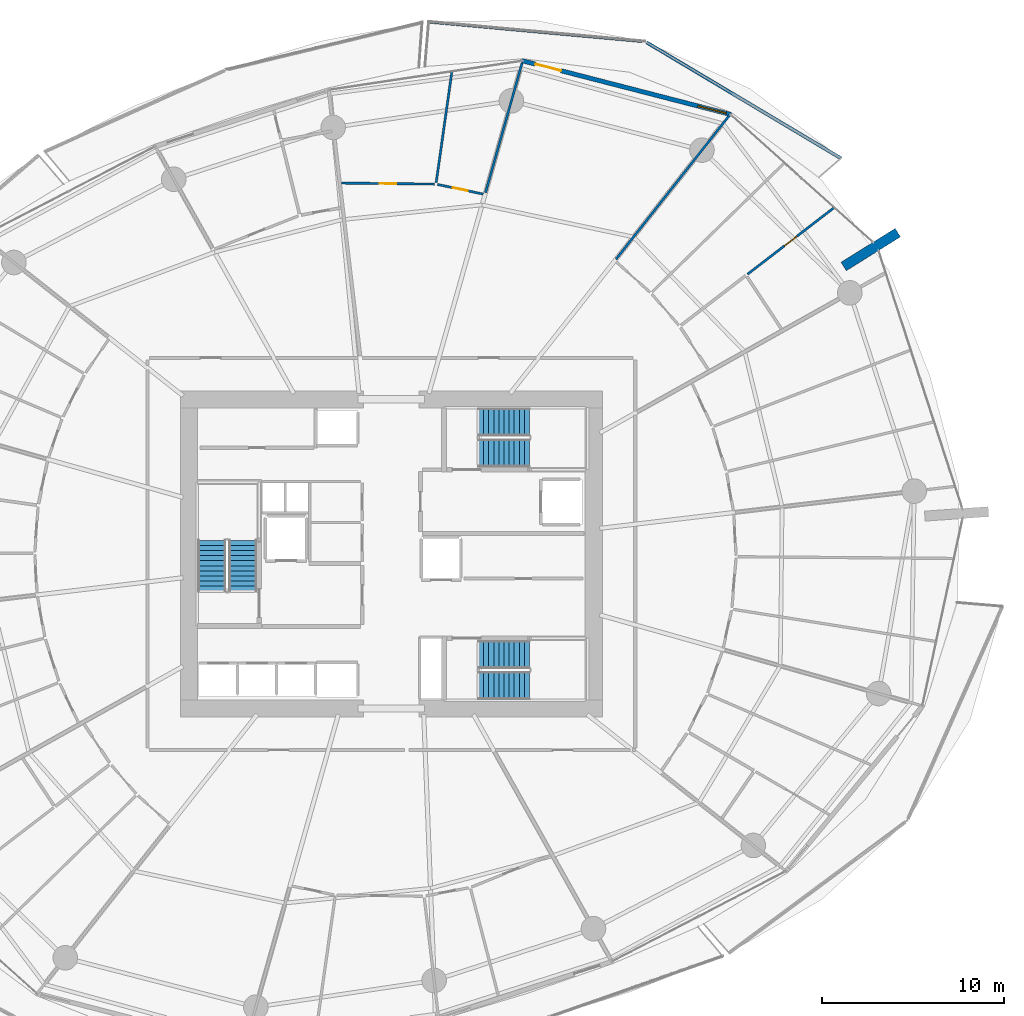
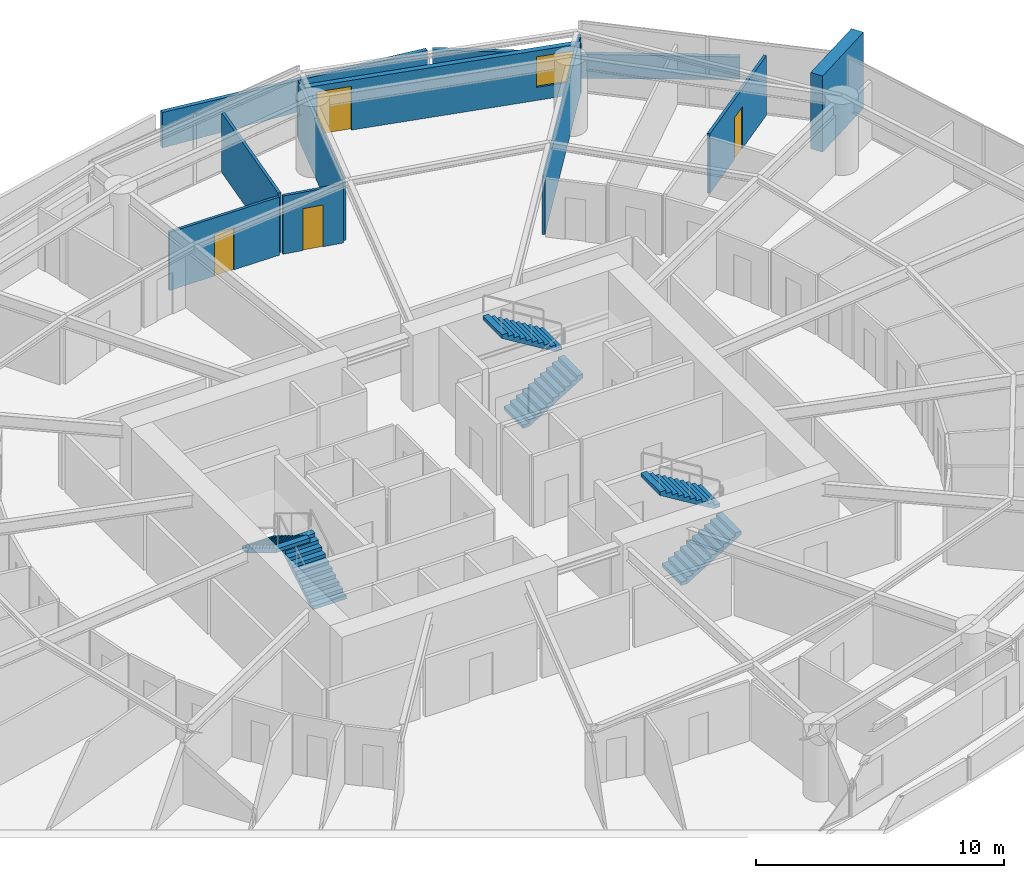
# One storey, part 24 of 31: 10 walls, 6 stair flights, 4 doors, 1 window, 5 openings, 3 elements without a shape of their own.
"""IFC4 building model written with IfcOpenShell, lengths in metres."""

import ifcopenshell
import ifcopenshell.guid

model = None  # the IFC model being written
_history = None  # IfcOwnerHistory: only IFC2X3 demands one
_inside = {}  # id of a spatial element -> (the spatial element, [elements in it])
_under = {}  # id of a project, library or spatial element -> (it, [spatial elements below it])
_declared = {}  # id of a project -> (the project, [libraries it declares])
_typed = {}  # id of a type object -> (the type object, [elements of that type])
_made_of = {}  # id of a material, layer set ... -> (it, [elements and type objects made of it])


def new_model(schema):
    """Start an empty IFC model of exactly this schema.

    Asked for "IFC4X3", IfcOpenShell would pick the latest addendum, in which some entities
    have other attributes; the version numbers below select the first issue.
    IFC2X3 requires an IfcOwnerHistory on every rooted entity: one is made here for all.
    """
    global model, _history
    if schema == "IFC4X3":
        model = ifcopenshell.file(schema_version=(4, 3, 0, 0))
    else:
        model = ifcopenshell.file(schema=schema)
    _inside.clear()
    _under.clear()
    _declared.clear()
    _typed.clear()
    _made_of.clear()
    _history = None
    if model.schema == "IFC2X3":
        org = make("IfcOrganization", Name="unknown")
        user = make(
            "IfcPersonAndOrganization",
            ThePerson=make("IfcPerson", FamilyName="unknown"),
            TheOrganization=org,
        )
        app = make(
            "IfcApplication",
            ApplicationDeveloper=org,
            Version="unknown",
            ApplicationFullName="unknown",
            ApplicationIdentifier="unknown",
        )
        _history = make(
            "IfcOwnerHistory",
            OwningUser=user,
            OwningApplication=app,
            ChangeAction="ADDED",
            CreationDate=0,
        )
    return model


def make(cls, **values):
    """One entity of the class cls with the attributes given. An attribute that is None is left unset."""
    return model.create_entity(
        cls, **{name: value for name, value in values.items() if value is not None}
    )


def rooted(cls, **values):
    """An entity with a GlobalId (a new one), such as an element, a storey or a relation."""
    return make(cls, GlobalId=ifcopenshell.guid.new(), OwnerHistory=_history, **values)


def si_unit(unit_type, name, prefix=None):
    """IfcSIUnit, for example si_unit("LENGTHUNIT", "METRE", prefix="MILLI")."""
    return make("IfcSIUnit", UnitType=unit_type, Prefix=prefix, Name=name)


def assignment(units):
    """IfcUnitAssignment: the units of a project."""
    return None if units is None else make("IfcUnitAssignment", Units=units)


def point(xyz):
    """IfcCartesianPoint."""
    return None if xyz is None else make("IfcCartesianPoint", Coordinates=xyz)


def direction(xyz):
    """IfcDirection."""
    return None if xyz is None else make("IfcDirection", DirectionRatios=xyz)


def frame(location, z_axis=None, x_axis=None):
    """IfcAxis2Placement3D, a coordinate frame: its origin and axes. An axis left out is left unset."""
    return make(
        "IfcAxis2Placement3D",
        Location=point(location),
        Axis=direction(z_axis),
        RefDirection=direction(x_axis),
    )


def frame_2d(location, x_axis=None):
    """IfcAxis2Placement2D, a coordinate frame in the plane: its origin and x axis."""
    return make(
        "IfcAxis2Placement2D", Location=point(location), RefDirection=direction(x_axis)
    )


def origin():
    """The frame at (0, 0, 0) with its axes left unset."""
    return frame((0.0, 0.0, 0.0))


def place(relative_to, where):
    """IfcLocalPlacement: puts the frame where relative to a parent placement (None: the world)."""
    return make(
        "IfcLocalPlacement", PlacementRelTo=relative_to, RelativePlacement=where
    )


def context(
    kind, dimensions, precision=None, world=None, true_north=None, identifier=None
):
    """IfcGeometricRepresentationContext, for example the 3D "Model" context."""
    return make(
        "IfcGeometricRepresentationContext",
        ContextIdentifier=identifier,
        ContextType=kind,
        CoordinateSpaceDimension=dimensions,
        Precision=precision,
        WorldCoordinateSystem=world,
        TrueNorth=true_north,
    )


def subcontext(parent, identifier, kind, view, scale=None):
    """IfcGeometricRepresentationSubContext, for example "Body" below "Model"."""
    return make(
        "IfcGeometricRepresentationSubContext",
        ContextIdentifier=identifier,
        ContextType=kind,
        ParentContext=parent,
        TargetScale=scale,
        TargetView=view,
    )


def project(units=None, contexts=None):
    """IfcProject with its units and contexts."""
    return rooted(
        "IfcProject",
        Name="project",
        RepresentationContexts=contexts,
        UnitsInContext=assignment(units),
    )


def spatial(cls, under=None, at=None, **own):
    """A site, building, storey or space (cls), placed at a placement, below another one or the project."""
    s = rooted(cls, ObjectPlacement=at, **own)
    if under is not None:
        _under.setdefault(under.id(), (under, []))[1].append(s)
    return s


def polyline(points):
    """IfcPolyline through the points."""
    return make("IfcPolyline", Points=[point(p) for p in points])


def profile(cls, at=None, kind="AREA", **sizes):
    """A parametric profile (cls). Its sizes go by their IFC names, for example OverallWidth=200.0."""
    return make(cls, ProfileType=kind, Position=at, **sizes)


def rectangle(**sizes):
    """IfcRectangleProfileDef."""
    return profile("IfcRectangleProfileDef", **sizes)


def outline(outer, holes=None, kind="AREA"):
    """IfcArbitraryClosedProfileDef: a profile drawn as a closed curve; with holes, ...WithVoids."""
    if holes is None:
        return make("IfcArbitraryClosedProfileDef", ProfileType=kind, OuterCurve=outer)
    return make(
        "IfcArbitraryProfileDefWithVoids",
        ProfileType=kind,
        OuterCurve=outer,
        InnerCurves=holes,
    )


def extrude(swept, where, along, depth):
    """IfcExtrudedAreaSolid: the profile swept, set in the frame where, extruded along a direction by depth."""
    return make(
        "IfcExtrudedAreaSolid",
        SweptArea=swept,
        Position=where,
        ExtrudedDirection=direction(along),
        Depth=depth,
    )


def shape(context_of_items, identifier, shape_type, items):
    """IfcShapeRepresentation: the items that make up one representation, for example the "Body"."""
    return make(
        "IfcShapeRepresentation",
        ContextOfItems=context_of_items,
        RepresentationIdentifier=identifier,
        RepresentationType=shape_type,
        Items=items,
    )


def material(Name=None, Category=None):
    """IfcMaterial."""
    return make("IfcMaterial", Name=Name, Category=Category)


def layer(
    of_material, thickness, ventilated=None, Name=None, Category=None, Priority=None
):
    """IfcMaterialLayer: one layer of a wall or slab, of a material (None: an air gap)."""
    return make(
        "IfcMaterialLayer",
        Material=of_material,
        LayerThickness=thickness,
        IsVentilated=ventilated,
        Name=Name,
        Category=Category,
        Priority=Priority,
    )


def layer_set(layers, Name=None):
    """IfcMaterialLayerSet."""
    return make("IfcMaterialLayerSet", MaterialLayers=layers, LayerSetName=Name)


def made_of(thing, what):
    """Note that an element or type object is made of a material, layer set ...; save() writes the relation."""
    if what is not None:
        _made_of.setdefault(what.id(), (what, []))[1].append(thing)
    return thing


def type_object(cls, material=None, **own):
    """A type object (cls), such as IfcWallType, which elements share."""
    return made_of(rooted(cls, **own), material)


def element(
    cls,
    number,
    at=None,
    inside=None,
    cuts=None,
    type_object=None,
    material=None,
    context=None,
    identifier="Body",
    shape_type=None,
    held_by="IfcProductDefinitionShape",
    body=None,
    shapes=None,
    **own,
):
    """One element of the class cls, such as IfcWall. Its Tag is "e" and its number.

    at: its placement. inside: the storey or other place that contains it. cuts: it is an
    opening in that element (IfcRelVoidsElement). A single representation is given by context,
    identifier, shape_type and body (its items); several are given by shapes. held_by: the class
    of the entity that holds the representations. save() writes the other relations.
    """
    e = rooted(cls, Tag="e%d" % number, ObjectPlacement=at, **own)
    if body is not None:
        shapes = [shape(context, identifier, shape_type, body)]
    if shapes is not None:
        e.Representation = make(held_by, Representations=shapes)
    if inside is not None:
        _inside.setdefault(inside.id(), (inside, []))[1].append(e)
    if cuts is not None:
        rooted(
            "IfcRelVoidsElement", RelatingBuildingElement=cuts, RelatedOpeningElement=e
        )
    if type_object is not None:
        _typed.setdefault(type_object.id(), (type_object, []))[1].append(e)
    return made_of(e, material)


def fill(opening, filler):
    """IfcRelFillsElement: the door or window that sits in an opening."""
    return rooted(
        "IfcRelFillsElement",
        RelatingOpeningElement=opening,
        RelatedBuildingElement=filler,
    )


def aggregate(whole, parts):
    """IfcRelAggregates: a whole, such as a stair, and the parts it consists of."""
    return rooted("IfcRelAggregates", RelatingObject=whole, RelatedObjects=parts)


def save(model, path):
    """Write the relations noted so far, then the file.

    IfcRelAggregates (storeys below a building ...), IfcRelContainedInSpatialStructure (elements
    in a storey), IfcRelDefinesByType, IfcRelAssociatesMaterial and IfcRelDeclares: one each for
    every whole, place, type object, material and project.
    """
    for whole, parts in _under.values():
        aggregate(whole, parts)
    for where, things in _inside.values():
        rooted(
            "IfcRelContainedInSpatialStructure",
            RelatedElements=things,
            RelatingStructure=where,
        )
    for kind, things in _typed.values():
        rooted("IfcRelDefinesByType", RelatedObjects=things, RelatingType=kind)
    for what, things in _made_of.values():
        rooted("IfcRelAssociatesMaterial", RelatedObjects=things, RelatingMaterial=what)
    for by, libraries in _declared.values():
        rooted("IfcRelDeclares", RelatingContext=by, RelatedDefinitions=libraries)
    model.write(path)


model = new_model("IFC4")

# Units and contexts
model_context = context("Model", 3, precision=1e-05, world=origin(), true_north=direction((0.0, 1.0)))
body_context = subcontext(model_context, "Body", "Model", "MODEL_VIEW")
ifc_project = project(units=[si_unit("LENGTHUNIT", "METRE"), si_unit("AREAUNIT", "SQUARE_METRE"), si_unit("VOLUMEUNIT", "CUBIC_METRE"), si_unit("PLANEANGLEUNIT", "RADIAN"), si_unit("MASSUNIT", "GRAM", prefix="KILO")], contexts=[model_context])

# Site, building, storey
site_placement = place(None, origin())
site = spatial("IfcSite", under=ifc_project, at=site_placement, CompositionType="ELEMENT")
building_placement = place(site_placement, origin())
building = spatial("IfcBuilding", under=site, at=building_placement, Name="Kazma Halo Residences", CompositionType="ELEMENT")
storey_placement = place(building_placement, frame((0.0, 0.0, 60.14990234375)))
storey = spatial("IfcBuildingStorey", under=building, at=storey_placement, Name="L14", CompositionType="ELEMENT", Elevation=60.14990234375)

# Walls
ifc_material_1 = material(Name="White Concrete C50/60 Balustrade", Category="concrete")
ifc_layer_1 = layer(ifc_material_1, 0.179931640625)
ifc_layer_set_1 = layer_set([ifc_layer_1], Name="White Concrete C50/60 Balustrade")
wall_type_1 = type_object("IfcWallType", Name="WL-BAL-WAVE-180", PredefinedType="PARAPET", material=ifc_layer_set_1)
wall_1_placement = place(storey_placement, frame((73.08740234375, 63.693115234375, 0.0), z_axis=(0.0, 0.0, 1.0), x_axis=(-0.858860948387, 0.512208816144, 0.0)))
element("IfcWall", 1, at=wall_1_placement, inside=storey, type_object=wall_type_1, Name="L14 white wave balustrade wall NE.1", PredefinedType="PARAPET", context=body_context, shape_type="SweptSolid", body=[
    extrude(outline(polyline([(0.0, 0.0), (12.412353515625, 0.0), (12.412109375, 1.34814453125), (6.2060546875, 1.18212890625), (0.0, 1.1201171875), (0.0, 0.0)])), frame((0.0, 0.08984375, 0.0), z_axis=(0.0, -1.0, 0.0), x_axis=(1.0, 0.0, 0.0)), (0.0, 0.0, 1.0), 0.179931640625),
])
wall_2_placement = place(storey_placement, frame((62.204345703125, 70.123046875, 0.0), z_axis=(0.0, 0.0, 1.0), x_axis=(-0.99586852892, 0.09080678998, 0.0)))
element("IfcWall", 2, at=wall_2_placement, inside=storey, type_object=wall_type_1, Name="L14 white wave balustrade wall NE.2", PredefinedType="PARAPET", context=body_context, shape_type="SweptSolid", body=[
    extrude(outline(polyline([(0.0, 0.0), (11.77587890625, 0.0), (11.77587890625, 1.7470703125), (5.887939453125, 1.56201171875), (0.0, 1.34814453125), (0.0, 0.0)])), frame((0.0, 0.08984375, 0.0), z_axis=(0.0, -1.0, 0.0), x_axis=(1.0, 0.0, 0.0)), (0.0, 0.0, 1.0), 0.179931640625),
])
ifc_material_2 = material(Name="Pale Concrete C60/75", Category="concrete")
ifc_layer_2 = layer(ifc_material_2, 0.550048828125)
ifc_layer_set_2 = layer_set([ifc_layer_2], Name="Pale Concrete C60/75")
wall_type_2 = type_object("IfcWallType", Name="WL-BLADE-550", PredefinedType="SOLIDWALL", material=ifc_layer_set_2)
wall_3_placement = place(storey_placement, frame((73.229736328125, 57.765380859375, 0.0), z_axis=(0.0, 0.0, 1.0), x_axis=(0.848053161125, 0.529911158502, 0.0)))
element("IfcWall", 3, at=wall_3_placement, inside=storey, type_object=wall_type_2, Name="L14 pale concrete structural blade fin wall BW-01", PredefinedType="SOLIDWALL", context=body_context, shape_type="SweptSolid", body=[
    extrude(rectangle(XDim=3.5, YDim=0.550048828125, at=frame_2d((1.75, 0.0))), origin(), (0.0, 0.0, 1.0), 3.75),
])

# Wall, openings, door, window
ifc_material_3 = material(Name="Insulated Pale-Metal Composite Wall")
ifc_layer_3 = layer(ifc_material_3, 0.239990234375)
ifc_layer_set_3 = layer_set([ifc_layer_3], Name="Insulated Pale-Metal Composite Wall")
wall_type_3 = type_object("IfcWallType", Name="WL-EXT-HOST-240", PredefinedType="SOLIDWALL", material=ifc_layer_set_3)
wall_4_placement = place(storey_placement, frame((67.05419921875, 66.09619140625, 0.0), z_axis=(0.0, 0.0, 1.0), x_axis=(-0.96833871487, 0.249640007378, 0.0)))
wall_4 = element("IfcWall", 4, at=wall_4_placement, inside=storey, type_object=wall_type_3, Name="L14 exterior terrace-access wall B02", PredefinedType="SOLIDWALL", context=body_context, shape_type="SweptSolid", body=[
    extrude(rectangle(XDim=11.85107421875, YDim=0.239990234375, at=frame_2d((5.925537109375, 0.0))), origin(), (0.0, 0.0, 1.0), 2.4501953125),
])
opening_1_placement = place(wall_4_placement, frame((9.631103515625, 0.0, 0.0)))
opening_1 = element("IfcOpeningElement", 5, at=opening_1_placement, cuts=wall_4, Name="Opening DTR-1600", PredefinedType="OPENING", context=body_context, shape_type="SweptSolid", body=[
    extrude(rectangle(XDim=1.449951171875, YDim=2.14990234375, at=frame_2d((0.72509765625, 1.074951171875))), frame((0.0, 0.1298828125, 0.0), z_axis=(0.0, -1.0, 0.0), x_axis=(1.0, 0.0, 0.0)), (0.0, 0.0, 1.0), 0.260009765625),
])
opening_2_placement = place(wall_4_placement, frame((0.280029296875, 0.0, 0.64990234375)))
opening_2 = element("IfcOpeningElement", 6, at=opening_2_placement, cuts=wall_4, Name="Opening W-1800", PredefinedType="OPENING", context=body_context, shape_type="SweptSolid", body=[
    extrude(rectangle(XDim=1.60009765625, YDim=1.5, at=frame_2d((0.800048828125, 0.75))), frame((0.0, 0.1298828125, 0.0), z_axis=(0.0, -1.0, 0.0), x_axis=(1.0, 0.0, 0.0)), (0.0, 0.0, 1.0), 0.260009765625),
])
ifc_material_4 = material(Name="Aluminium AW-6063 T6 Double-Glazed Terrace Door", Category="aluminium")
door_type_1 = type_object("IfcDoorType", Name="DR-EXT-TERR-1600", OperationType="NOTDEFINED", PredefinedType="DOOR", material=ifc_material_4)
door_1_placement = place(opening_1_placement, origin())
door_1 = element("IfcDoor", 7, at=door_1_placement, inside=storey, type_object=door_type_1, Name="L14 B02 balcony terrace door", OperationType="DOUBLE_DOOR_SLIDING", OverallHeight=2.14990234375, OverallWidth=1.449951171875, PredefinedType="DOOR", context=body_context, shape_type="SweptSolid", body=[
    extrude(rectangle(XDim=1.449951171875, YDim=2.14990234375, at=frame_2d((0.72509765625, 1.074951171875))), frame((0.0, 0.02490234375, 0.0), z_axis=(0.0, -1.0, 0.0), x_axis=(1.0, 0.0, 0.0)), (0.0, 0.0, 1.0), 0.050048828125),
])
fill(opening_1, door_1)
ifc_material_5 = material(Name="Clear Triple-Silver Low-E Glass in Aluminium AW-6063 T6 Frame", Category="aluminium")
window_type = type_object("IfcWindowType", Name="WIN-RES-1800", PartitioningType="DOUBLE_PANEL_VERTICAL", PredefinedType="WINDOW", material=ifc_material_5)
window_placement = place(opening_2_placement, origin())
window = element("IfcWindow", 8, at=window_placement, inside=storey, type_object=window_type, Name="L14 B02 apartment window", OverallHeight=1.5, OverallWidth=1.60009765625, PartitioningType="SINGLE_PANEL", PredefinedType="WINDOW", context=body_context, shape_type="SweptSolid", body=[
    extrude(rectangle(XDim=1.60009765625, YDim=1.5, at=frame_2d((0.800048828125, 0.75))), frame((0.0, 0.030029296875, 0.0), z_axis=(0.0, -1.0, 0.0), x_axis=(1.0, 0.0, 0.0)), (0.0, 0.0, 1.0), 0.06005859375),
])
fill(opening_2, window)

# Wall
ifc_material_6 = material(Name="Gypsum Plasterboard Partition")
ifc_layer_4 = layer(ifc_material_6, 0.125)
ifc_layer_set_4 = layer_set([ifc_layer_4], Name="Gypsum Plasterboard Partition")
wall_type_4 = type_object("IfcWallType", Name="WL-PART-125", PredefinedType="PARTITIONING", material=ifc_layer_set_4)
wall_5_placement = place(storey_placement, frame((60.742919921875, 58.1640625, 0.0), z_axis=(0.0, 0.0, 1.0), x_axis=(0.61907620874, 0.785330916093, 0.0)))
element("IfcWall", 9, at=wall_5_placement, inside=storey, type_object=wall_type_4, Name="L14 Apartment 4 living radial partition 0", PredefinedType="PARTITIONING", context=body_context, shape_type="SweptSolid", body=[
    extrude(rectangle(XDim=10.09130859375, YDim=0.125, at=frame_2d((5.045654296875, 0.0))), origin(), (0.0, 0.0, 1.0), 2.8671875),
])

# Wall, opening, door
wall_6_placement = place(storey_placement, frame((67.94921875, 57.336669921875, 0.0), z_axis=(0.0, 0.0, 1.0), x_axis=(0.792800135679, 0.609481701832, 0.0)))
wall_6 = element("IfcWall", 10, at=wall_6_placement, inside=storey, type_object=wall_type_4, Name="L14 Apartment 4 Utility Laundry Room partition wall", PredefinedType="PARTITIONING", context=body_context, shape_type="SweptSolid", body=[
    extrude(rectangle(XDim=5.975830078125, YDim=0.125, at=frame_2d((2.98779296875, 0.0))), origin(), (0.0, 0.0, 1.0), 2.940185546875),
])
opening_3_placement = place(wall_6_placement, frame((2.562744140625, 0.0, 0.0)))
opening_3 = element("IfcOpeningElement", 11, at=opening_3_placement, cuts=wall_6, Name="Opening DB-900", PredefinedType="OPENING", context=body_context, shape_type="SweptSolid", body=[
    extrude(rectangle(XDim=0.85009765625, YDim=2.06005859375, at=frame_2d((0.425048828125, 1.030029296875))), frame((0.0, 0.072509765625, 0.0), z_axis=(0.0, -1.0, 0.0), x_axis=(1.0, 0.0, 0.0)), (0.0, 0.0, 1.0), 0.14501953125),
])
ifc_material_7 = material(Name="Moisture-Sealed Timber Leaf", Category="wood")
door_type_2 = type_object("IfcDoorType", Name="DR-BTH-900", OperationType="NOTDEFINED", PredefinedType="DOOR", material=ifc_material_7)
door_2_placement = place(opening_3_placement, origin())
door_2 = element("IfcDoor", 12, at=door_2_placement, inside=storey, type_object=door_type_2, Name="L14 Apartment 4 Utility Laundry Room door", OperationType="SINGLE_SWING_RIGHT", OverallHeight=2.06005859375, OverallWidth=0.85009765625, PredefinedType="DOOR", context=body_context, shape_type="SweptSolid", body=[
    extrude(rectangle(XDim=0.85009765625, YDim=2.06005859375, at=frame_2d((0.425048828125, 1.030029296875))), frame((0.0, 0.02490234375, 0.0), z_axis=(0.0, -1.0, 0.0), x_axis=(1.0, 0.0, 0.0)), (0.0, 0.0, 1.0), 0.050048828125),
])
fill(opening_3, door_2)

# Walls
wall_7_placement = place(storey_placement, frame((53.5869140625, 61.810302734375, 0.0), z_axis=(0.0, 0.0, 1.0), x_axis=(0.271464088879, 0.962448569249, 0.0)))
element("IfcWall", 13, at=wall_7_placement, inside=storey, type_object=wall_type_4, Name="L14 Apartment 4 radial partition 2", PredefinedType="PARTITIONING", context=body_context, shape_type="SweptSolid", body=[
    extrude(rectangle(XDim=7.38916015625, YDim=0.125, at=frame_2d((3.694580078125, 0.0))), origin(), (0.0, 0.0, 1.0), 2.8671875),
])
wall_8_placement = place(storey_placement, frame((50.8828125, 62.3701171875, 0.0), z_axis=(0.0, 0.0, 1.0), x_axis=(0.140126411414, 0.990133621702, 0.0)))
element("IfcWall", 14, at=wall_8_placement, inside=storey, type_object=wall_type_4, Name="L14 Apartment 4 mid-bay wall 2", PredefinedType="PARTITIONING", context=body_context, shape_type="SweptSolid", body=[
    extrude(rectangle(XDim=6.1240234375, YDim=0.125, at=frame_2d((3.06201171875, 0.0))), origin(), (0.0, 0.0, 1.0), 2.940185546875),
])

# Wall, opening, door
wall_9_placement = place(storey_placement, frame((53.4619140625, 61.734619140625, 0.0), z_axis=(0.0, 0.0, 1.0), x_axis=(-0.978499333356, 0.206249980902, 0.0)))
wall_9 = element("IfcWall", 15, at=wall_9_placement, inside=storey, type_object=wall_type_4, Name="L14 Apartment 4 East Bedroom hall wall", PredefinedType="PARTITIONING", context=body_context, shape_type="SweptSolid", body=[
    extrude(rectangle(XDim=2.568603515625, YDim=0.125, at=frame_2d((1.2841796875, 0.0))), origin(), (0.0, 0.0, 1.0), 2.8671875),
])
opening_4_placement = place(wall_9_placement, frame((0.859375, 0.0, 0.0)))
opening_4 = element("IfcOpeningElement", 16, at=opening_4_placement, cuts=wall_9, Name="Opening DB-900", PredefinedType="OPENING", context=body_context, shape_type="SweptSolid", body=[
    extrude(rectangle(XDim=0.85009765625, YDim=2.06005859375, at=frame_2d((0.425048828125, 1.030029296875))), frame((0.0, 0.072509765625, 0.0), z_axis=(0.0, -1.0, 0.0), x_axis=(1.0, 0.0, 0.0)), (0.0, 0.0, 1.0), 0.14501953125),
])
door_3_placement = place(opening_4_placement, origin())
door_3 = element("IfcDoor", 17, at=door_3_placement, inside=storey, type_object=door_type_2, Name="L14 Apartment 4 East Bedroom door", OperationType="SINGLE_SWING_LEFT", OverallHeight=2.06005859375, OverallWidth=0.85009765625, PredefinedType="DOOR", context=body_context, shape_type="SweptSolid", body=[
    extrude(rectangle(XDim=0.85009765625, YDim=2.06005859375, at=frame_2d((0.425048828125, 1.030029296875))), frame((0.0, 0.02490234375, 0.0), z_axis=(0.0, -1.0, 0.0), x_axis=(1.0, 0.0, 0.0)), (0.0, 0.0, 1.0), 0.050048828125),
])
fill(opening_4, door_3)

wall_10_placement = place(storey_placement, frame((50.790283203125, 62.28173828125, 0.0), z_axis=(0.0, 0.0, 1.0), x_axis=(-0.99993505002, 0.011397181261, 0.0)))
wall_10 = element("IfcWall", 18, at=wall_10_placement, inside=storey, type_object=wall_type_4, Name="L14 Apartment 4 West Bedroom hall wall", PredefinedType="PARTITIONING", context=body_context, shape_type="SweptSolid", body=[
    extrude(rectangle(XDim=5.09814453125, YDim=0.125, at=frame_2d((2.549072265625, 0.0))), origin(), (0.0, 0.0, 1.0), 2.8671875),
])
opening_5_placement = place(wall_10_placement, frame((2.09912109375, 0.0, 0.0)))
opening_5 = element("IfcOpeningElement", 19, at=opening_5_placement, cuts=wall_10, Name="Opening DI-950", PredefinedType="OPENING", context=body_context, shape_type="SweptSolid", body=[
    extrude(rectangle(XDim=0.89990234375, YDim=2.080078125, at=frame_2d((0.449951171875, 1.0400390625))), frame((0.0, 0.072509765625, 0.0), z_axis=(0.0, -1.0, 0.0), x_axis=(1.0, 0.0, 0.0)), (0.0, 0.0, 1.0), 0.14501953125),
])
ifc_material_8 = material(Name="Timber Veneer Flush Leaf", Category="wood")
door_type_3 = type_object("IfcDoorType", Name="DR-INT-950", OperationType="NOTDEFINED", PredefinedType="DOOR", material=ifc_material_8)
door_4_placement = place(opening_5_placement, origin())
door_4 = element("IfcDoor", 20, at=door_4_placement, inside=storey, type_object=door_type_3, Name="L14 Apartment 4 West Bedroom door", OperationType="SINGLE_SWING_RIGHT", OverallHeight=2.080078125, OverallWidth=0.89990234375, PredefinedType="DOOR", context=body_context, shape_type="SweptSolid", body=[
    extrude(rectangle(XDim=0.89990234375, YDim=2.080078125, at=frame_2d((0.449951171875, 1.0400390625))), frame((0.0, 0.02490234375, 0.0), z_axis=(0.0, -1.0, 0.0), x_axis=(1.0, 0.0, 0.0)), (0.0, 0.0, 1.0), 0.050048828125),
])
fill(opening_5, door_4)

# Stair, stair flights
ifc_material_9 = material(Name="Concrete C50/60", Category="concrete")
stair_type = type_object("IfcStairType", Name="STR-RES1", PredefinedType="HALF_TURN_STAIR", material=ifc_material_9)
stair_1_placement = place(storey_placement, origin())
stair_1 = element("IfcStair", 21, at=stair_1_placement, inside=storey, type_object=stair_type, Name="L14 Core exit stair ST-01", PredefinedType="HALF_TURN_STAIR")
stair_flight_type = type_object("IfcStairFlightType", Name="STR-RES1-FLT", PredefinedType="STRAIGHT", material=ifc_material_9)
stair_flight_1_placement = place(storey_placement, frame((40.27490234375, 39.949951171875, 0.0), z_axis=(0.0, 0.0, 1.0), x_axis=(0.0, 1.0, 0.0)))
stair_flight_1 = element("IfcStairFlight", 22, at=stair_flight_1_placement, type_object=stair_flight_type, Name="ST-01 flight 1", NumberOfRisers=11, NumberOfTreads=10, PredefinedType="STRAIGHT", RiserHeight=0.170454545, TreadLength=0.28, context=body_context, shape_type="SweptSolid", body=[
    extrude(outline(polyline([(0.0, 0.0), (0.0, 0.17041015625), (0.280029296875, 0.17041015625), (0.280029296875, 0.3408203125), (0.56005859375, 0.3408203125), (0.56005859375, 0.511474609375), (0.840087890625, 0.511474609375), (0.840087890625, 0.681884765625), (1.1201171875, 0.681884765625), (1.1201171875, 0.852294921875), (1.39990234375, 0.852294921875), (1.39990234375, 1.022705078125), (1.679931640625, 1.022705078125), (1.679931640625, 1.193115234375), (1.9599609375, 1.193115234375), (1.9599609375, 1.363525390625), (2.239990234375, 1.363525390625), (2.239990234375, 1.5341796875), (2.52001953125, 1.5341796875), (2.52001953125, 1.70458984375), (2.800048828125, 1.70458984375), (2.800048828125, 1.875), (2.800048828125, 1.529052734375), (0.288330078125, 0.0), (0.0, 0.0)])), frame((0.0, 0.77490234375, 0.0), z_axis=(0.0, -1.0, 0.0), x_axis=(1.0, 0.0, 0.0)), (0.0, 0.0, 1.0), 1.550048828125),
])
stair_flight_2_placement = place(storey_placement, frame((38.574951171875, 42.75, 1.875), z_axis=(0.0, 0.0, 1.0), x_axis=(0.0, -1.0, 0.0)))
stair_flight_2 = element("IfcStairFlight", 23, at=stair_flight_2_placement, type_object=stair_flight_type, Name="ST-01 flight 2", NumberOfRisers=11, NumberOfTreads=10, PredefinedType="STRAIGHT", RiserHeight=0.170454545, TreadLength=0.28, context=body_context, shape_type="SweptSolid", body=[
    extrude(outline(polyline([(0.0, 0.0), (0.0, 0.17041015625), (0.280029296875, 0.17041015625), (0.280029296875, 0.3408203125), (0.56005859375, 0.3408203125), (0.56005859375, 0.511474609375), (0.840087890625, 0.511474609375), (0.840087890625, 0.681884765625), (1.1201171875, 0.681884765625), (1.1201171875, 0.852294921875), (1.39990234375, 0.852294921875), (1.39990234375, 1.022705078125), (1.679931640625, 1.022705078125), (1.679931640625, 1.193115234375), (1.9599609375, 1.193115234375), (1.9599609375, 1.363525390625), (2.239990234375, 1.363525390625), (2.239990234375, 1.5341796875), (2.52001953125, 1.5341796875), (2.52001953125, 1.70458984375), (2.800048828125, 1.70458984375), (2.800048828125, 1.875), (2.800048828125, 1.529052734375), (0.288330078125, 0.0), (0.0, 0.0)])), frame((0.0, 0.77490234375, 0.0), z_axis=(0.0, -1.0, 0.0), x_axis=(1.0, 0.0, 0.0)), (0.0, 0.0, 1.0), 1.550048828125),
])
aggregate(stair_1, [stair_flight_1, stair_flight_2])

stair_2_placement = place(storey_placement, origin())
stair_2 = element("IfcStair", 24, at=stair_2_placement, inside=storey, type_object=stair_type, Name="L14 Core exit stair ST-02", PredefinedType="HALF_TURN_STAIR")
stair_flight_3_placement = place(storey_placement, frame((53.199951171875, 47.52490234375, 0.0), z_axis=(0.0, 0.0, 1.0), x_axis=(1.0, 0.0, 0.0)))
stair_flight_3 = element("IfcStairFlight", 25, at=stair_flight_3_placement, type_object=stair_flight_type, Name="ST-02 flight 1", NumberOfRisers=11, NumberOfTreads=10, PredefinedType="STRAIGHT", RiserHeight=0.170454545, TreadLength=0.28, context=body_context, shape_type="SweptSolid", body=[
    extrude(outline(polyline([(0.0, 0.0), (0.0, 0.17041015625), (0.280029296875, 0.17041015625), (0.280029296875, 0.3408203125), (0.56005859375, 0.3408203125), (0.56005859375, 0.511474609375), (0.840087890625, 0.511474609375), (0.840087890625, 0.681884765625), (1.1201171875, 0.681884765625), (1.1201171875, 0.852294921875), (1.39990234375, 0.852294921875), (1.39990234375, 1.022705078125), (1.679931640625, 1.022705078125), (1.679931640625, 1.193115234375), (1.9599609375, 1.193115234375), (1.9599609375, 1.363525390625), (2.239990234375, 1.363525390625), (2.239990234375, 1.5341796875), (2.52001953125, 1.5341796875), (2.52001953125, 1.70458984375), (2.800048828125, 1.70458984375), (2.800048828125, 1.875), (2.800048828125, 1.529052734375), (0.288330078125, 0.0), (0.0, 0.0)])), frame((0.0, 0.77490234375, 0.0), z_axis=(0.0, -1.0, 0.0), x_axis=(1.0, 0.0, 0.0)), (0.0, 0.0, 1.0), 1.550048828125),
])
stair_flight_4_placement = place(storey_placement, frame((56.0, 49.22509765625, 1.875), z_axis=(0.0, 0.0, 1.0), x_axis=(-1.0, 0.0, 0.0)))
stair_flight_4 = element("IfcStairFlight", 26, at=stair_flight_4_placement, type_object=stair_flight_type, Name="ST-02 flight 2", NumberOfRisers=11, NumberOfTreads=10, PredefinedType="STRAIGHT", RiserHeight=0.170454545, TreadLength=0.28, context=body_context, shape_type="SweptSolid", body=[
    extrude(outline(polyline([(0.0, 0.0), (0.0, 0.17041015625), (0.280029296875, 0.17041015625), (0.280029296875, 0.3408203125), (0.56005859375, 0.3408203125), (0.56005859375, 0.511474609375), (0.840087890625, 0.511474609375), (0.840087890625, 0.681884765625), (1.1201171875, 0.681884765625), (1.1201171875, 0.852294921875), (1.39990234375, 0.852294921875), (1.39990234375, 1.022705078125), (1.679931640625, 1.022705078125), (1.679931640625, 1.193115234375), (1.9599609375, 1.193115234375), (1.9599609375, 1.363525390625), (2.239990234375, 1.363525390625), (2.239990234375, 1.5341796875), (2.52001953125, 1.5341796875), (2.52001953125, 1.70458984375), (2.800048828125, 1.70458984375), (2.800048828125, 1.875), (2.800048828125, 1.529052734375), (0.288330078125, 0.0), (0.0, 0.0)])), frame((0.0, 0.77490234375, 0.0), z_axis=(0.0, -1.0, 0.0), x_axis=(1.0, 0.0, 0.0)), (0.0, 0.0, 1.0), 1.550048828125),
])
aggregate(stair_2, [stair_flight_3, stair_flight_4])

stair_3_placement = place(storey_placement, origin())
stair_3 = element("IfcStair", 27, at=stair_3_placement, inside=storey, type_object=stair_type, Name="L14 Core exit stair ST-03", PredefinedType="HALF_TURN_STAIR")
stair_flight_5_placement = place(storey_placement, frame((53.199951171875, 34.77490234375, 0.0), z_axis=(0.0, 0.0, 1.0), x_axis=(1.0, 0.0, 0.0)))
stair_flight_5 = element("IfcStairFlight", 28, at=stair_flight_5_placement, type_object=stair_flight_type, Name="ST-03 flight 1", NumberOfRisers=11, NumberOfTreads=10, PredefinedType="STRAIGHT", RiserHeight=0.170454545, TreadLength=0.28, context=body_context, shape_type="SweptSolid", body=[
    extrude(outline(polyline([(0.0, 0.0), (0.0, 0.17041015625), (0.280029296875, 0.17041015625), (0.280029296875, 0.3408203125), (0.56005859375, 0.3408203125), (0.56005859375, 0.511474609375), (0.840087890625, 0.511474609375), (0.840087890625, 0.681884765625), (1.1201171875, 0.681884765625), (1.1201171875, 0.852294921875), (1.39990234375, 0.852294921875), (1.39990234375, 1.022705078125), (1.679931640625, 1.022705078125), (1.679931640625, 1.193115234375), (1.9599609375, 1.193115234375), (1.9599609375, 1.363525390625), (2.239990234375, 1.363525390625), (2.239990234375, 1.5341796875), (2.52001953125, 1.5341796875), (2.52001953125, 1.70458984375), (2.800048828125, 1.70458984375), (2.800048828125, 1.875), (2.800048828125, 1.529052734375), (0.288330078125, 0.0), (0.0, 0.0)])), frame((0.0, 0.77490234375, 0.0), z_axis=(0.0, -1.0, 0.0), x_axis=(1.0, 0.0, 0.0)), (0.0, 0.0, 1.0), 1.550048828125),
])
stair_flight_6_placement = place(storey_placement, frame((56.0, 36.47509765625, 1.875), z_axis=(0.0, 0.0, 1.0), x_axis=(-1.0, 0.0, 0.0)))
stair_flight_6 = element("IfcStairFlight", 29, at=stair_flight_6_placement, type_object=stair_flight_type, Name="ST-03 flight 2", NumberOfRisers=11, NumberOfTreads=10, PredefinedType="STRAIGHT", RiserHeight=0.170454545, TreadLength=0.28, context=body_context, shape_type="SweptSolid", body=[
    extrude(outline(polyline([(0.0, 0.0), (0.0, 0.17041015625), (0.280029296875, 0.17041015625), (0.280029296875, 0.3408203125), (0.56005859375, 0.3408203125), (0.56005859375, 0.511474609375), (0.840087890625, 0.511474609375), (0.840087890625, 0.681884765625), (1.1201171875, 0.681884765625), (1.1201171875, 0.852294921875), (1.39990234375, 0.852294921875), (1.39990234375, 1.022705078125), (1.679931640625, 1.022705078125), (1.679931640625, 1.193115234375), (1.9599609375, 1.193115234375), (1.9599609375, 1.363525390625), (2.239990234375, 1.363525390625), (2.239990234375, 1.5341796875), (2.52001953125, 1.5341796875), (2.52001953125, 1.70458984375), (2.800048828125, 1.70458984375), (2.800048828125, 1.875), (2.800048828125, 1.529052734375), (0.288330078125, 0.0), (0.0, 0.0)])), frame((0.0, 0.77490234375, 0.0), z_axis=(0.0, -1.0, 0.0), x_axis=(1.0, 0.0, 0.0)), (0.0, 0.0, 1.0), 1.550048828125),
])
aggregate(stair_3, [stair_flight_5, stair_flight_6])

save(model, "model.ifc")
